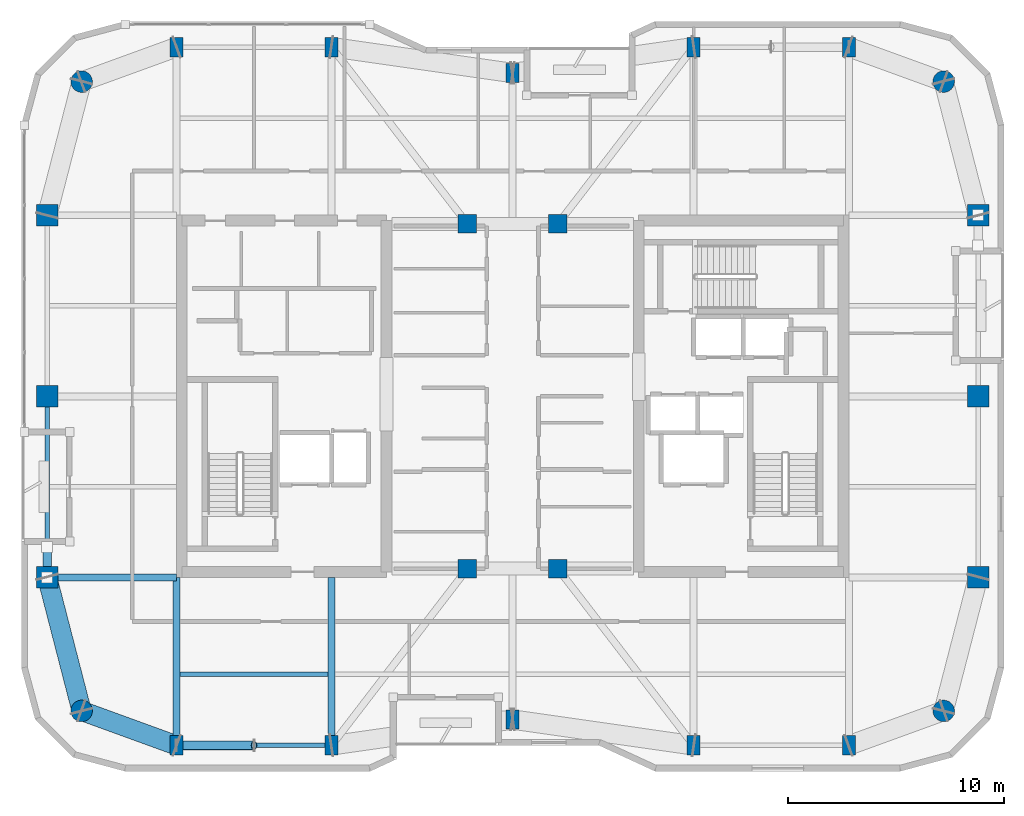
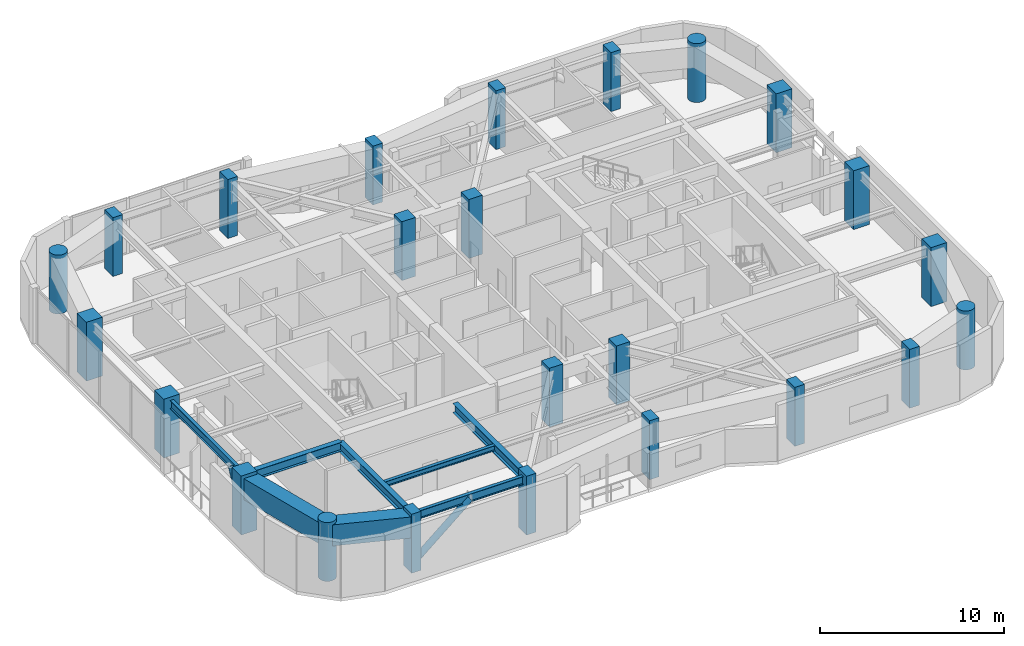
# One storey, part 1 of 15: 24 columns, 8 beams, 2 members.
"""IFC4 building model written with IfcOpenShell, lengths in metres."""

from ifc_helpers import new_model, si_unit, direction, frame, origin, origin_2d, place, context, subcontext, project, spatial, rectangle, hollow_rectangle, circle, hollow_circle, i_section, extrude, material, material_profile, profile_set, type_object, element, save


model = new_model("IFC4")

# Units and contexts
model_context = context("Model", 3, precision=1e-05, world=origin(), true_north=direction((0.0, 1.0)))
body_context = subcontext(model_context, "Body", "Model", "MODEL_VIEW")
ifc_project = project(units=[si_unit("LENGTHUNIT", "METRE"), si_unit("AREAUNIT", "SQUARE_METRE"), si_unit("VOLUMEUNIT", "CUBIC_METRE"), si_unit("PLANEANGLEUNIT", "RADIAN"), si_unit("MASSUNIT", "GRAM", prefix="KILO")], contexts=[model_context])

# Site, building, storey
site_placement = place(None, origin())
site = spatial("IfcSite", under=ifc_project, at=site_placement, CompositionType="ELEMENT")
building_placement = place(site_placement, origin())
building = spatial("IfcBuilding", under=site, at=building_placement, Name="Kiyonajd Concourse Tower", CompositionType="ELEMENT")
storey_placement = place(building_placement, frame((0.0, 0.0, 270.60009765625)))
storey = spatial("IfcBuildingStorey", under=building, at=storey_placement, Name="L68", CompositionType="ELEMENT", Elevation=270.60009765625)

# Columns
ifc_material_1 = material(Name="Concrete C60/75", Category="concrete")
ifc_material_profile_1 = material_profile(ifc_material_1, rectangle(XDim=0.60009765625, YDim=0.89990234375, at=origin_2d()), Name="RC-900x600")
ifc_profile_set_1 = profile_set([ifc_material_profile_1], Name="Concrete C60/75")
column_type_1 = type_object("IfcColumnType", Name="CL-BLADE-900", PredefinedType="COLUMN", material=ifc_profile_set_1)
for number, where, z_axis, x_axis, name in (
    (1, (32.39990234375, 19.800048828125, 0.0), (0.0, 0.0, 1.0), (1.0, 0.0, 0.0), "L68 Perimeter Bundled Tube Column"),
    (2, (32.39990234375, 52.199951171875, 0.0), (0.0, 0.0, 1.0), (1.0, 0.0, 0.0), "L68 Perimeter Bundled Tube Column"),
    (3, (39.60009765625, 19.800048828125, 0.0), (0.0, 0.0, 1.0), (1.0, 0.0, 0.0), "L68 Perimeter Bundled Tube Column"),
    (4, (39.60009765625, 52.199951171875, 0.0), (0.0, 0.0, 1.0), (1.0, 0.0, 0.0), "L68 Perimeter Bundled Tube Column"),
    (5, (48.0, 21.0, 0.0), (0.0, 0.0, 1.0), (1.0, 0.0, 0.0), "L68 Perimeter Bundled Tube Column"),
    (6, (48.0, 51.0, 0.0), (0.0, 0.0, 1.0), (1.0, 0.0, 0.0), "L68 Perimeter Bundled Tube Column"),
    (7, (56.39990234375, 19.800048828125, 0.0), (0.0, 0.0, 1.0), (1.0, 0.0, 0.0), "L68 Perimeter Bundled Tube Column"),
    (8, (56.39990234375, 52.199951171875, 0.0), (0.0, 0.0, 1.0), (1.0, 0.0, 0.0), "L68 Perimeter Bundled Tube Column"),
    (9, (63.60009765625, 19.800048828125, 0.0), (0.0, 0.0, 1.0), (1.0, 0.0, 0.0), "L68 Perimeter Bundled Tube Column"),
    (10, (63.60009765625, 52.199951171875, 0.0), (0.0, 0.0, 1.0), (1.0, 0.0, 0.0), "L68 Perimeter Bundled Tube Column"),
):
    element("IfcColumn", number, at=place(storey_placement, frame(where, z_axis=z_axis, x_axis=x_axis)), inside=storey, type_object=column_type_1, Name=name, PredefinedType="COLUMN", context=body_context, shape_type="SweptSolid", body=[
        extrude(rectangle(XDim=0.60009765625, YDim=0.89990234375, at=origin_2d()), origin(), (0.0, 0.0, 1.0), 3.89990234375),
    ])
ifc_material_profile_2 = material_profile(ifc_material_1, circle(Radius=0.5, at=origin_2d()), Name="RCC-D1000")
ifc_profile_set_2 = profile_set([ifc_material_profile_2], Name="Concrete C60/75")
column_type_2 = type_object("IfcColumnType", Name="CL-RND-1000", PredefinedType="COLUMN", material=ifc_profile_set_2)
for number, where, z_axis, x_axis, name in (
    (11, (28.0, 21.39990234375, 0.0), (0.0, 0.0, 1.0), (1.0, 0.0, 0.0), "L68 Bundled Tube Corner Column South West"),
    (12, (68.0, 21.39990234375, 0.0), (0.0, 0.0, 1.0), (1.0, 0.0, 0.0), "L68 Bundled Tube Corner Column South East"),
    (13, (68.0, 50.60009765625, 0.0), (0.0, 0.0, 1.0), (1.0, 0.0, 0.0), "L68 Bundled Tube Corner Column North East"),
    (14, (28.0, 50.60009765625, 0.0), (0.0, 0.0, 1.0), (1.0, 0.0, 0.0), "L68 Bundled Tube Corner Column North West"),
):
    element("IfcColumn", number, at=place(storey_placement, frame(where, z_axis=z_axis, x_axis=x_axis)), inside=storey, type_object=column_type_2, Name=name, PredefinedType="COLUMN", context=body_context, shape_type="SweptSolid", body=[
        extrude(circle(Radius=0.5, at=origin_2d()), origin(), (0.0, 0.0, 1.0), 3.89990234375),
    ])
ifc_material_profile_3 = material_profile(ifc_material_1, rectangle(XDim=1.0, YDim=1.0, at=origin_2d()), Name="RC-1000x1000")
ifc_profile_set_3 = profile_set([ifc_material_profile_3], Name="Concrete C60/75")
column_type_3 = type_object("IfcColumnType", Name="CL-TUBE-1000", PredefinedType="COLUMN", material=ifc_profile_set_3)
for number, where, z_axis, x_axis, name in (
    (15, (26.39990234375, 27.60009765625, 0.0), (0.0, 0.0, 1.0), (1.0, 0.0, 0.0), "L68 Perimeter Bundled Tube Column"),
    (16, (69.60009765625, 27.60009765625, 0.0), (0.0, 0.0, 1.0), (1.0, 0.0, 0.0), "L68 Perimeter Bundled Tube Column"),
    (17, (26.39990234375, 36.0, 0.0), (0.0, 0.0, 1.0), (1.0, 0.0, 0.0), "L68 Perimeter Bundled Tube Column"),
    (18, (69.60009765625, 36.0, 0.0), (0.0, 0.0, 1.0), (1.0, 0.0, 0.0), "L68 Perimeter Bundled Tube Column"),
    (19, (26.39990234375, 44.39990234375, 0.0), (0.0, 0.0, 1.0), (1.0, 0.0, 0.0), "L68 Perimeter Bundled Tube Column"),
    (20, (69.60009765625, 44.39990234375, 0.0), (0.0, 0.0, 1.0), (1.0, 0.0, 0.0), "L68 Perimeter Bundled Tube Column"),
):
    element("IfcColumn", number, at=place(storey_placement, frame(where, z_axis=z_axis, x_axis=x_axis)), inside=storey, type_object=column_type_3, Name=name, PredefinedType="COLUMN", context=body_context, shape_type="SweptSolid", body=[
        extrude(rectangle(XDim=1.0, YDim=1.0, at=origin_2d()), origin(), (0.0, 0.0, 1.0), 3.89990234375),
    ])
ifc_material_profile_4 = material_profile(ifc_material_1, rectangle(XDim=0.85009765625, YDim=0.85009765625, at=origin_2d()), Name="RC-850x850")
ifc_profile_set_4 = profile_set([ifc_material_profile_4], Name="Concrete C60/75")
column_type_4 = type_object("IfcColumnType", Name="CL-TUBE-850", PredefinedType="COLUMN", material=ifc_profile_set_4)
for number, where, z_axis, x_axis, name in (
    (21, (45.89990234375, 28.0, 0.0), (0.0, 0.0, 1.0), (1.0, 0.0, 0.0), "L68 Core Tie Column South West"),
    (22, (50.10009765625, 28.0, 0.0), (0.0, 0.0, 1.0), (1.0, 0.0, 0.0), "L68 Core Tie Column South East"),
    (23, (45.89990234375, 44.0, 0.0), (0.0, 0.0, 1.0), (1.0, 0.0, 0.0), "L68 Core Tie Column North West"),
    (24, (50.10009765625, 44.0, 0.0), (0.0, 0.0, 1.0), (1.0, 0.0, 0.0), "L68 Core Tie Column North East"),
):
    element("IfcColumn", number, at=place(storey_placement, frame(where, z_axis=z_axis, x_axis=x_axis)), inside=storey, type_object=column_type_4, Name=name, PredefinedType="COLUMN", context=body_context, shape_type="SweptSolid", body=[
        extrude(rectangle(XDim=0.85009765625, YDim=0.85009765625, at=origin_2d()), origin(), (0.0, 0.0, 1.0), 3.89990234375),
    ])

# Beams
ifc_material_2 = material(Name="Steel ASTM A992 Grade 50", Category="steel")
ifc_material_profile_5 = material_profile(ifc_material_2, i_section(OverallWidth=0.205078125, OverallDepth=0.35400390625, WebThickness=0.009521484375, FlangeThickness=0.016845703125, at=origin_2d()), Name="W360X79")
ifc_profile_set_5 = profile_set([ifc_material_profile_5], Name="Steel ASTM A992 Grade 50")
beam_type_1 = type_object("IfcBeamType", Name="BM-JST-360", PredefinedType="JOIST", material=ifc_profile_set_5)
beam_1_placement = place(storey_placement, frame((32.56201171875, 23.10009765625, 3.5029296875), z_axis=(1.0, 0.0, 0.0), x_axis=(0.0, 1.0, 0.0)))
element("IfcBeam", 25, at=beam_1_placement, inside=storey, type_object=beam_type_1, Name="L68 Secondary Floor Joist", PredefinedType="JOIST", context=body_context, shape_type="SweptSolid", body=[
    extrude(i_section(OverallWidth=0.205078125, OverallDepth=0.35400390625, WebThickness=0.009521484375, FlangeThickness=0.016845703125, at=origin_2d()), origin(), (0.0, 0.0, 1.0), 6.8759765625),
])
ifc_material_profile_6 = material_profile(ifc_material_2, i_section(OverallWidth=0.2109375, OverallDepth=0.5390625, WebThickness=0.01171875, FlangeThickness=0.018798828125, at=origin_2d()), Name="W530X109")
ifc_profile_set_6 = profile_set([ifc_material_profile_6], Name="Steel ASTM A992 Grade 50")
beam_type_2 = type_object("IfcBeamType", Name="BM-SPAN-530B", PredefinedType="SPANDREL", material=ifc_profile_set_6)
beam_2_placement = place(storey_placement, frame((32.39990234375, 19.800048828125, 3.410400390625), z_axis=(1.0, 0.0, 0.0), x_axis=(0.0, 1.0, 0.0)))
element("IfcBeam", 26, at=beam_2_placement, inside=storey, type_object=beam_type_2, Name="L68 Perimeter Bundled Tube Spandrel", PredefinedType="SPANDREL", context=body_context, shape_type="SweptSolid", body=[
    extrude(i_section(OverallWidth=0.2109375, OverallDepth=0.5390625, WebThickness=0.01171875, FlangeThickness=0.018798828125, at=origin_2d()), origin(), (0.0, 0.0, 1.0), 7.2001953125),
])
beam_3_placement = place(storey_placement, frame((26.39990234375, 36.0, 3.410400390625), z_axis=(0.0, -1.0, 0.0), x_axis=(1.0, 0.0, 0.0)))
element("IfcBeam", 27, at=beam_3_placement, inside=storey, type_object=beam_type_2, Name="L68 Perimeter Bundled Tube Spandrel", PredefinedType="SPANDREL", context=body_context, shape_type="SweptSolid", body=[
    extrude(i_section(OverallWidth=0.2109375, OverallDepth=0.5390625, WebThickness=0.01171875, FlangeThickness=0.018798828125, at=origin_2d()), origin(), (0.0, 0.0, 1.0), 8.39990234375),
])
ifc_material_profile_7 = material_profile(ifc_material_2, i_section(OverallWidth=0.323974609375, OverallDepth=0.611083984375, WebThickness=0.0126953125, FlangeThickness=0.01904296875, at=origin_2d()), Name="W610X155")
ifc_profile_set_7 = profile_set([ifc_material_profile_7], Name="Steel ASTM A992 Grade 50")
beam_type_3 = type_object("IfcBeamType", Name="BM-TWR-610B", PredefinedType="BEAM", material=ifc_profile_set_7)
for number, where, z_axis, x_axis, name in (
    (28, (32.39990234375, 19.800048828125, 3.37451171875), (0.0, 1.0, 0.0), (-1.0, 0.0, 0.0), "L68 South Lease Girder"),
    (29, (39.60009765625, 19.800048828125, 3.37451171875), (0.0, 1.0, 0.0), (-1.0, 0.0, 0.0), "L68 South Lease Girder"),
):
    element("IfcBeam", number, at=place(storey_placement, frame(where, z_axis=z_axis, x_axis=x_axis)), inside=storey, type_object=beam_type_3, Name=name, PredefinedType="BEAM", context=body_context, shape_type="SweptSolid", body=[
        extrude(i_section(OverallWidth=0.323974609375, OverallDepth=0.611083984375, WebThickness=0.0126953125, FlangeThickness=0.01904296875, at=origin_2d()), origin(), (0.0, 0.0, 1.0), 7.800048828125),
    ])
beam_4_placement = place(storey_placement, frame((26.39990234375, 27.60009765625, 3.37451171875), z_axis=(1.0, 0.0, 0.0), x_axis=(0.0, 1.0, 0.0)))
element("IfcBeam", 30, at=beam_4_placement, inside=storey, type_object=beam_type_3, Name="L68 West Lease Girder", PredefinedType="BEAM", context=body_context, shape_type="SweptSolid", body=[
    extrude(i_section(OverallWidth=0.323974609375, OverallDepth=0.611083984375, WebThickness=0.0126953125, FlangeThickness=0.01904296875, at=origin_2d()), origin(), (0.0, 0.0, 1.0), 6.0),
])
ifc_material_3 = material(Name="Steel ASTM A572 Grade 50", Category="steel")
ifc_material_profile_8 = material_profile(ifc_material_3, hollow_rectangle(XDim=0.89990234375, YDim=1.39990234375, WallThickness=0.070068359375, at=origin_2d()), Name="BOX-1400x900x70")
ifc_profile_set_8 = profile_set([ifc_material_profile_8], Name="Steel ASTM A572 Grade 50")
beam_type_4 = type_object("IfcBeamType", Name="BM-XFER-1400", PredefinedType="BEAM", material=ifc_profile_set_8)
beam_5_placement = place(storey_placement, frame((26.39990234375, 27.60009765625, 2.97998046875), z_axis=(0.249884937687, -0.968275538221, 0.0), x_axis=(0.968275538221, 0.249884937687, 0.0)))
element("IfcBeam", 31, at=beam_5_placement, inside=storey, type_object=beam_type_4, Name="L68 Perimeter Bundled Tube Spandrel", PredefinedType="BEAM", context=body_context, shape_type="SweptSolid", body=[
    extrude(hollow_rectangle(XDim=0.89990234375, YDim=1.39990234375, WallThickness=0.070068359375, at=origin_2d()), origin(), (0.0, 0.0, 1.0), 6.4033203125),
])
beam_6_placement = place(storey_placement, frame((28.0, 21.39990234375, 2.97998046875), z_axis=(0.939801036019, -0.341722127901, 0.0), x_axis=(0.341722127901, 0.939801036019, 0.0)))
element("IfcBeam", 32, at=beam_6_placement, inside=storey, type_object=beam_type_4, Name="L68 Perimeter Bundled Tube Spandrel", PredefinedType="BEAM", context=body_context, shape_type="SweptSolid", body=[
    extrude(hollow_rectangle(XDim=0.89990234375, YDim=1.39990234375, WallThickness=0.070068359375, at=origin_2d()), origin(), (0.0, 0.0, 1.0), 4.681640625),
])

# Members
ifc_material_4 = material(Name="Steel ASTM A500 Grade C", Category="steel")
ifc_material_profile_9 = material_profile(ifc_material_4, hollow_circle(Radius=0.202880859375, WallThickness=0.01904296875, at=origin_2d()), Name="CHS-406x19")
ifc_profile_set_9 = profile_set([ifc_material_profile_9], Name="Steel ASTM A500 Grade C")
member_type = type_object("IfcMemberType", Name="MB-PB-HIGH", PredefinedType="BRACE", material=ifc_profile_set_9)
member_1_placement = place(storey_placement, frame((32.39990234375, 19.800048828125, 0.2998046875), z_axis=(0.765082043761, 0.0, 0.643932811957), x_axis=(0.0, 1.0, 0.0)))
element("IfcMember", 33, at=member_1_placement, inside=storey, type_object=member_type, Name="L68 Upper Zone Hollow Tube Brace PBS", PredefinedType="BRACE", context=body_context, shape_type="SweptSolid", body=[
    extrude(hollow_circle(Radius=0.202880859375, WallThickness=0.01904296875, at=origin_2d()), origin(), (0.0, 0.0, 1.0), 4.70556640625),
])
member_2_placement = place(storey_placement, frame((26.39990234375, 27.60009765625, 0.2998046875), z_axis=(0.0, 0.419410666774, 0.907796614114), x_axis=(-1.0, 0.0, 0.0)))
element("IfcMember", 34, at=member_2_placement, inside=storey, type_object=member_type, Name="L68 Upper Zone Hollow Tube Brace PBW", PredefinedType="BRACE", context=body_context, shape_type="SweptSolid", body=[
    extrude(hollow_circle(Radius=0.202880859375, WallThickness=0.01904296875, at=origin_2d()), origin(), (0.0, 0.0, 1.0), 3.337890625),
])

save(model, "model.ifc")
